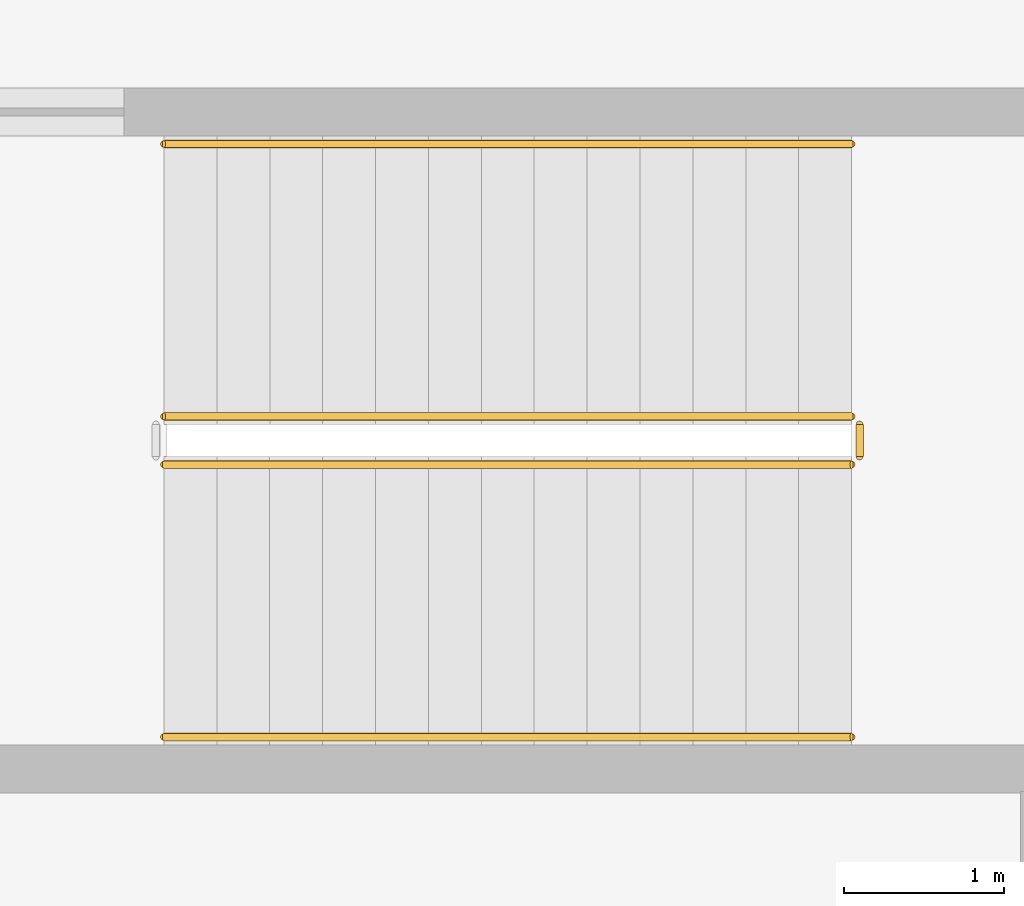
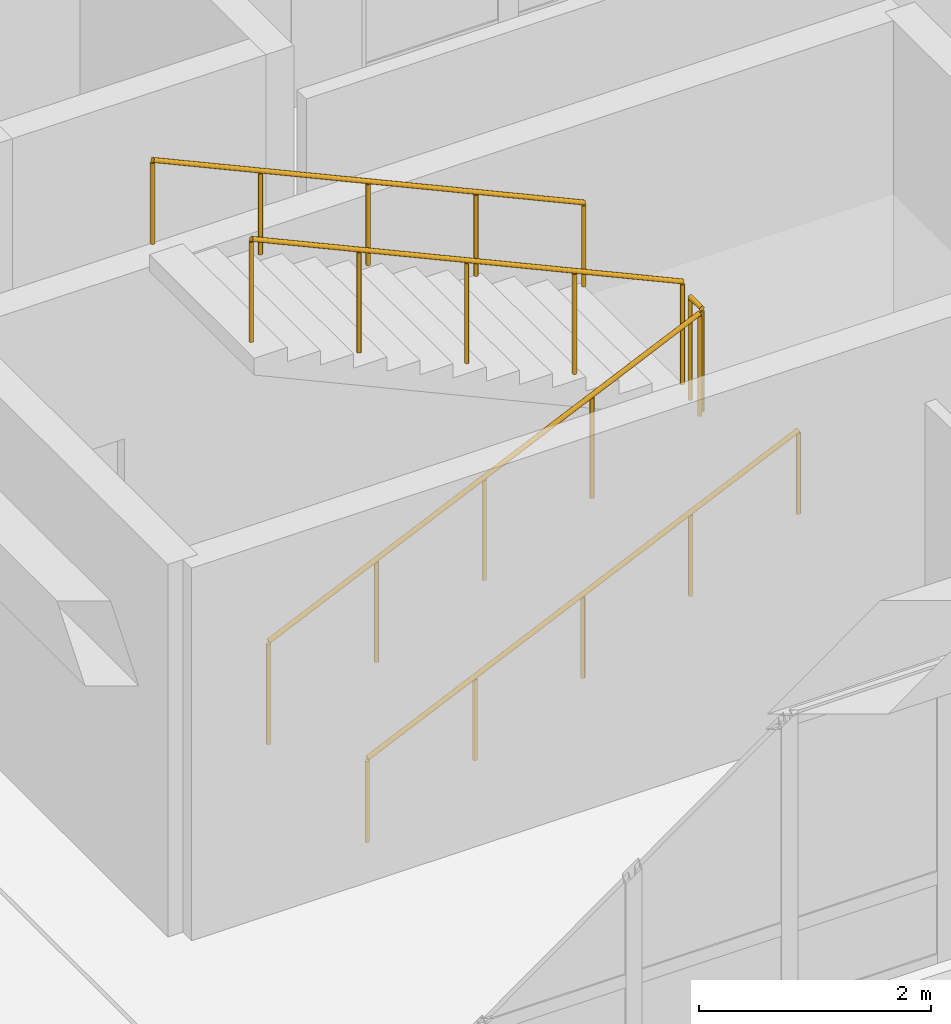
# One storey, part 146 of 147: 5 railings.
"""IFC4 building model written with IfcOpenShell, lengths in metres."""

from ifc_helpers import new_model, si_unit, direction, frame, origin, origin_2d, place, context, subcontext, project, spatial, circle, extrude, material, layer, layer_set, type_object, element, save


model = new_model("IFC4")

# Units and contexts
model_context = context("Model", 3, precision=1e-05, world=origin(), true_north=direction((0.0, 1.0)))
body_context = subcontext(model_context, "Body", "Model", "MODEL_VIEW")
ifc_project = project(units=[si_unit("LENGTHUNIT", "METRE"), si_unit("AREAUNIT", "SQUARE_METRE"), si_unit("VOLUMEUNIT", "CUBIC_METRE"), si_unit("PLANEANGLEUNIT", "RADIAN"), si_unit("MASSUNIT", "GRAM", prefix="KILO")], contexts=[model_context])

# Site, building, storey
site_placement = place(None, origin())
site = spatial("IfcSite", under=ifc_project, at=site_placement, CompositionType="ELEMENT")
building_placement = place(site_placement, origin())
building = spatial("IfcBuilding", under=site, at=building_placement, Name="Malvenik Polytechnic", CompositionType="ELEMENT")
storey_placement = place(building_placement, frame((0.0, 0.0, 5.10009765625)))
storey = spatial("IfcBuildingStorey", under=building, at=storey_placement, Name="L01", CompositionType="ELEMENT", Elevation=5.10009765625)

# Railings
ifc_material_1 = material(Name="Painted galvanised steel stair well balustrade 1100mm", Category="steel")
ifc_layer_1 = layer(ifc_material_1, 0.050048828125)
ifc_layer_set_1 = layer_set([ifc_layer_1], Name="Painted galvanised steel stair well balustrade 1100mm")
railing_type_1 = type_object("IfcRailingType", Name="ARC-RL-STGD", PredefinedType="BALUSTRADE", material=ifc_layer_set_1)
railing_1_placement = place(storey_placement, frame((95.39990234375, 120.89990234375, 0.14990234375)))
element("IfcRailing", 1, at=railing_1_placement, inside=storey, type_object=railing_type_1, Name="L01 ST-03 stair guard 1", PredefinedType="BALUSTRADE", context=body_context, shape_type="SweptSolid", body=[
    extrude(circle(Radius=0.02392578125, at=origin_2d()), frame((0.0, 0.0, 1.076171875), z_axis=(0.910371800137, 0.0, 0.413791234219), x_axis=(0.0, 1.0, 0.0)), (0.0, 0.0, 1.0), 4.71240234375),
    extrude(circle(Radius=0.02099609375, at=origin_2d()), origin(), (0.0, 0.0, 1.0), 1.052001953125),
    extrude(circle(Radius=0.02099609375, at=origin_2d()), frame((1.072509765625, 0.0, 0.487548828125)), (0.0, 0.0, 1.0), 1.052001953125),
    extrude(circle(Radius=0.02099609375, at=origin_2d()), frame((2.14501953125, 0.0, 0.97509765625)), (0.0, 0.0, 1.0), 1.052001953125),
    extrude(circle(Radius=0.02099609375, at=origin_2d()), frame((3.217529296875, 0.0, 1.46240234375)), (0.0, 0.0, 1.0), 1.052001953125),
    extrude(circle(Radius=0.02099609375, at=origin_2d()), frame((4.2900390625, 0.0, 1.949951171875)), (0.0, 0.0, 1.0), 1.052001953125),
])
railing_2_placement = place(storey_placement, frame((99.739990234375, 120.949951171875, 2.099853515625)))
element("IfcRailing", 2, at=railing_2_placement, inside=storey, type_object=railing_type_1, Name="L01 ST-03 stair guard 2", PredefinedType="BALUSTRADE", context=body_context, shape_type="SweptSolid", body=[
    extrude(circle(Radius=0.02392578125, at=origin_2d()), frame((0.0, 0.0, 1.076171875), z_axis=(0.0, 1.0, 0.0), x_axis=(-1.0, 0.0, 0.0)), (0.0, 0.0, 1.0), 0.199951171875),
    extrude(circle(Radius=0.02099609375, at=origin_2d()), origin(), (0.0, 0.0, 1.0), 1.052001953125),
    extrude(circle(Radius=0.02099609375, at=origin_2d()), frame((0.0, 0.199951171875, 0.0)), (0.0, 0.0, 1.0), 1.052001953125),
])
railing_3_placement = place(storey_placement, frame((99.68994140625, 121.199951171875, 2.25)))
element("IfcRailing", 3, at=railing_3_placement, inside=storey, type_object=railing_type_1, Name="L01 ST-03 stair guard 3", PredefinedType="BALUSTRADE", context=body_context, shape_type="SweptSolid", body=[
    extrude(circle(Radius=0.02392578125, at=origin_2d()), frame((0.0, 0.0, 1.076171875), z_axis=(-0.910371800137, 0.0, 0.413791234219), x_axis=(0.0, -1.0, 0.0)), (0.0, 0.0, 1.0), 4.71240234375),
    extrude(circle(Radius=0.02099609375, at=origin_2d()), origin(), (0.0, 0.0, 1.0), 1.052001953125),
    extrude(circle(Radius=0.02099609375, at=origin_2d()), frame((-1.072509765625, 0.0, 0.487548828125)), (0.0, 0.0, 1.0), 1.052001953125),
    extrude(circle(Radius=0.02099609375, at=origin_2d()), frame((-2.14501953125, 0.0, 0.97509765625)), (0.0, 0.0, 1.0), 1.052001953125),
    extrude(circle(Radius=0.02099609375, at=origin_2d()), frame((-3.217529296875, 0.0, 1.46240234375)), (0.0, 0.0, 1.0), 1.052001953125),
    extrude(circle(Radius=0.02099609375, at=origin_2d()), frame((-4.2900390625, 0.0, 1.949951171875)), (0.0, 0.0, 1.0), 1.052001953125),
])
ifc_material_2 = material(Name="Brushed stainless steel 1.4301 stair wall handrail", Category="steel")
ifc_layer_2 = layer(ifc_material_2, 0.044921875)
ifc_layer_set_2 = layer_set([ifc_layer_2], Name="Brushed stainless steel 1.4301 stair wall handrail")
railing_type_2 = type_object("IfcRailingType", Name="ARC-RL-STHR", PredefinedType="HANDRAIL", material=ifc_layer_set_2)
railing_4_placement = place(storey_placement, frame((95.39990234375, 119.199951171875, 0.14990234375)))
element("IfcRailing", 4, at=railing_4_placement, inside=storey, type_object=railing_type_2, Name="L01 ST-03 stair handrail 1", PredefinedType="HANDRAIL", context=body_context, shape_type="SweptSolid", body=[
    extrude(circle(Radius=0.02392578125, at=origin_2d()), frame((0.0, 0.0, 0.8759765625), z_axis=(0.910371800137, 0.0, 0.413791234219), x_axis=(0.0, 1.0, 0.0)), (0.0, 0.0, 1.0), 4.71240234375),
    extrude(circle(Radius=0.02099609375, at=origin_2d()), origin(), (0.0, 0.0, 1.0), 0.851806640625),
    extrude(circle(Radius=0.02099609375, at=origin_2d()), frame((1.072509765625, 0.0, 0.487548828125)), (0.0, 0.0, 1.0), 0.851806640625),
    extrude(circle(Radius=0.02099609375, at=origin_2d()), frame((2.14501953125, 0.0, 0.97509765625)), (0.0, 0.0, 1.0), 0.851806640625),
    extrude(circle(Radius=0.02099609375, at=origin_2d()), frame((3.217529296875, 0.0, 1.46240234375)), (0.0, 0.0, 1.0), 0.851806640625),
    extrude(circle(Radius=0.02099609375, at=origin_2d()), frame((4.2900390625, 0.0, 1.949951171875)), (0.0, 0.0, 1.0), 0.851806640625),
])
railing_5_placement = place(storey_placement, frame((99.68994140625, 122.89990234375, 2.25)))
element("IfcRailing", 5, at=railing_5_placement, inside=storey, type_object=railing_type_2, Name="L01 ST-03 stair handrail 2", PredefinedType="HANDRAIL", context=body_context, shape_type="SweptSolid", body=[
    extrude(circle(Radius=0.02392578125, at=origin_2d()), frame((0.0, 0.0, 0.8759765625), z_axis=(-0.910371800137, 0.0, 0.413791234219), x_axis=(0.0, -1.0, 0.0)), (0.0, 0.0, 1.0), 4.71240234375),
    extrude(circle(Radius=0.02099609375, at=origin_2d()), origin(), (0.0, 0.0, 1.0), 0.851806640625),
    extrude(circle(Radius=0.02099609375, at=origin_2d()), frame((-1.072509765625, 0.0, 0.487548828125)), (0.0, 0.0, 1.0), 0.851806640625),
    extrude(circle(Radius=0.02099609375, at=origin_2d()), frame((-2.14501953125, 0.0, 0.97509765625)), (0.0, 0.0, 1.0), 0.851806640625),
    extrude(circle(Radius=0.02099609375, at=origin_2d()), frame((-3.217529296875, 0.0, 1.46240234375)), (0.0, 0.0, 1.0), 0.851806640625),
    extrude(circle(Radius=0.02099609375, at=origin_2d()), frame((-4.2900390625, 0.0, 1.949951171875)), (0.0, 0.0, 1.0), 0.851806640625),
])

save(model, "model.ifc")
